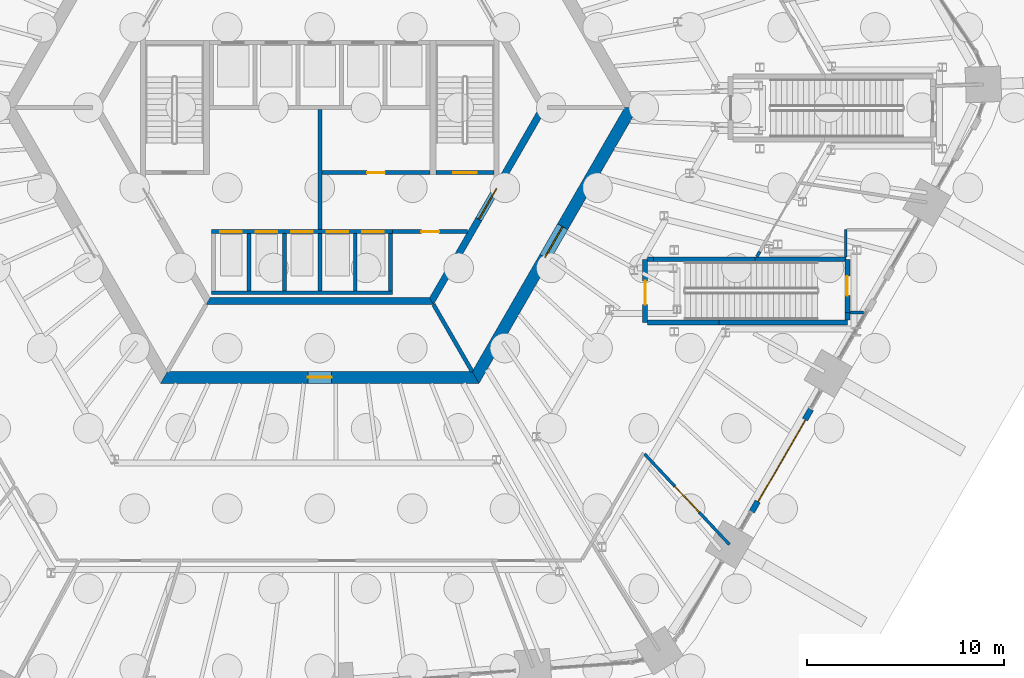
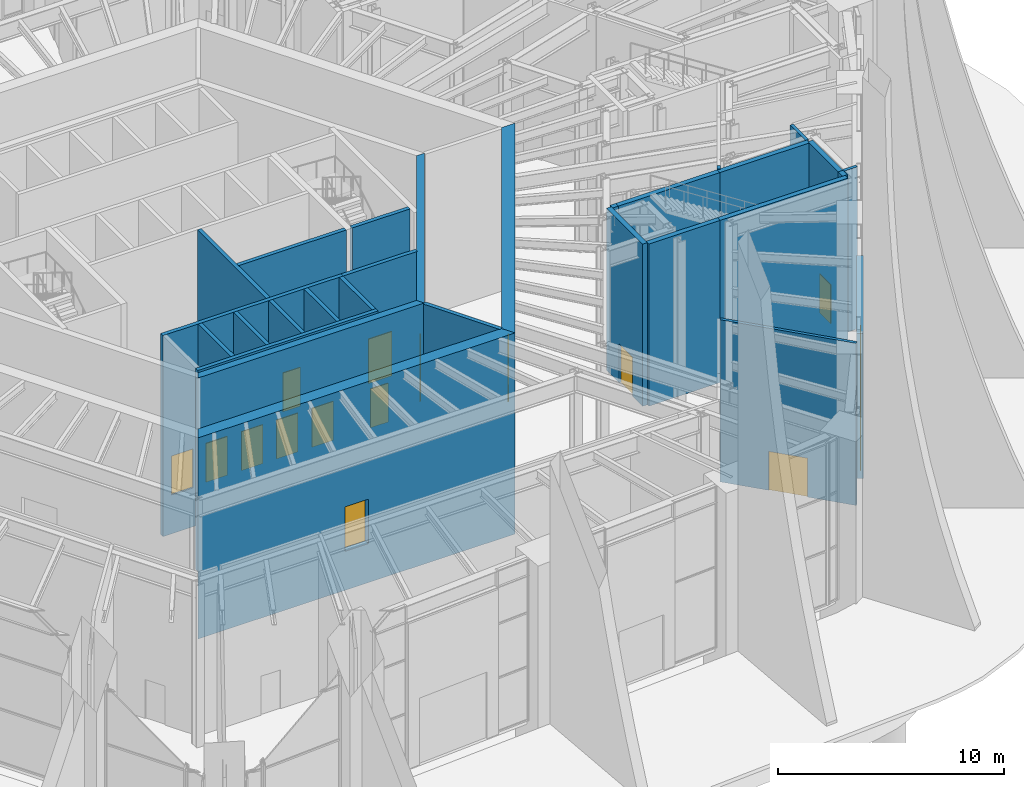
# One storey, part 26 of 43: 29 walls, 15 doors, 15 openings.
"""IFC4 building model written with IfcOpenShell, lengths in metres."""

from ifc_helpers import new_model, si_unit, direction, frame, frame_2d, origin, place, context, subcontext, project, spatial, polyline, rectangle, outline, extrude, material, layer, layer_set, type_object, element, fill, save


model = new_model("IFC4")

# Units and contexts
model_context = context("Model", 3, precision=1e-05, world=origin(), true_north=direction((0.0, 1.0)))
body_context = subcontext(model_context, "Body", "Model", "MODEL_VIEW")
ifc_project = project(units=[si_unit("LENGTHUNIT", "METRE"), si_unit("AREAUNIT", "SQUARE_METRE"), si_unit("VOLUMEUNIT", "CUBIC_METRE"), si_unit("PLANEANGLEUNIT", "RADIAN"), si_unit("MASSUNIT", "GRAM", prefix="KILO")], contexts=[model_context])

# Site, building, storey
site_placement = place(None, origin())
site = spatial("IfcSite", under=ifc_project, at=site_placement, CompositionType="ELEMENT")
building_placement = place(site_placement, origin())
building = spatial("IfcBuilding", under=site, at=building_placement, Name="Tarnside Tower", CompositionType="ELEMENT")
storey_placement = place(building_placement, origin())
storey = spatial("IfcBuildingStorey", under=building, at=storey_placement, Name="L00", CompositionType="ELEMENT", Elevation=0.0)

# Wall
ifc_material_1 = material(Name="Concrete C50/60", Category="concrete")
ifc_layer_1 = layer(ifc_material_1, 0.35009765625)
ifc_layer_set_1 = layer_set([ifc_layer_1], Name="Core block wall 350 C50/60")
wall_type_1 = type_object("IfcWallType", Name="Core block wall 350 C50/60", PredefinedType="SHEAR", material=ifc_layer_set_1)
wall_1_placement = place(storey_placement, frame((-5.672607421875, -9.824951171875, -2.10009765625), z_axis=(0.0, 0.0, 1.0), x_axis=(1.0, 0.0, 0.0)))
element("IfcWall", 1, at=wall_1_placement, inside=storey, type_object=wall_type_1, Name="L00 core block wall face 4", PredefinedType="SHEAR", context=body_context, shape_type="SweptSolid", body=[
    extrude(outline(polyline([(-0.10107421875, -0.175048828125), (11.4462890625, -0.175048828125), (11.244140625, 0.175048828125), (0.10107421875, 0.175048828125), (-0.10107421875, -0.175048828125)])), origin(), (0.0, 0.0, 1.0), 10.85009765625),
])

# Wall, opening, door
wall_2_placement = place(storey_placement, frame((5.672607421875, -9.824951171875, -2.10009765625), z_axis=(0.0, 0.0, 1.0), x_axis=(0.499995046907, 0.866028263435, 0.0)))
wall_2 = element("IfcWall", 2, at=wall_2_placement, inside=storey, type_object=wall_type_1, Name="L00 core block wall face 5", PredefinedType="SHEAR", context=body_context, shape_type="SweptSolid", body=[
    extrude(outline(polyline([(-0.10107421875, -0.175048828125), (11.44580078125, -0.175048828125), (11.24365234375, 0.175048828125), (0.10107421875, 0.175048828125), (-0.10107421875, -0.175048828125)])), origin(), (0.0, 0.0, 1.0), 10.85009765625),
])
opening_1_placement = place(wall_2_placement, frame((4.80126953125, 0.0, 2.10009765625)))
opening_1 = element("IfcOpeningElement", 3, at=opening_1_placement, cuts=wall_2, Name="Opening CD-FFL", PredefinedType="OPENING", context=body_context, shape_type="SweptSolid", body=[
    extrude(rectangle(XDim=1.800048828125, YDim=2.39990234375, at=frame_2d((0.89990234375, 1.199951171875))), frame((0.0, 0.18505859375, 0.0), z_axis=(0.0, -1.0, 0.0), x_axis=(1.0, 0.0, 0.0)), (0.0, 0.0, 1.0), 0.3701171875),
])
ifc_material_2 = material(Name="Steel fire door", Category="steel")
door_type_1 = type_object("IfcDoorType", Name="Firefighting lobby double door FD60S 1800x2400", OperationType="NOTDEFINED", PredefinedType="DOOR", material=ifc_material_2)
door_1_placement = place(opening_1_placement, origin())
door_1 = element("IfcDoor", 4, at=door_1_placement, inside=storey, type_object=door_type_1, Name="L00 lobby block door P4", OperationType="DOUBLE_DOOR_SINGLE_SWING", OverallHeight=2.39990234375, OverallWidth=1.800048828125, PredefinedType="DOOR", context=body_context, shape_type="SweptSolid", body=[
    extrude(rectangle(XDim=1.800048828125, YDim=2.39990234375, at=frame_2d((0.89990234375, 1.199951171875))), frame((0.0, 0.02490234375, 0.0), z_axis=(0.0, -1.0, 0.0), x_axis=(1.0, 0.0, 0.0)), (0.0, 0.0, 1.0), 0.050048828125),
])
fill(opening_1, door_1)

ifc_material_3 = material(Name="Concrete C40/50", Category="concrete")
ifc_layer_2 = layer(ifc_material_3, 0.199951171875)
ifc_layer_set_2 = layer_set([ifc_layer_2], Name="Core room partition 200 C40/50")
wall_type_2 = type_object("IfcWallType", Name="Core room partition 200 C40/50", PredefinedType="PARTITIONING", material=ifc_layer_set_2)
wall_3_placement = place(storey_placement, frame((0.10009765625, -3.300048828125, 0.0), z_axis=(0.0, 0.0, 1.0), x_axis=(1.0, 0.0, 0.0)))
wall_3 = element("IfcWall", 5, at=wall_3_placement, inside=storey, type_object=wall_type_2, Name="L00 core partition R3S1", PredefinedType="PARTITIONING", context=body_context, shape_type="SweptSolid", body=[
    extrude(rectangle(XDim=5.5, YDim=0.199951171875, at=frame_2d((2.75, 0.0))), origin(), (0.0, 0.0, 1.0), 8.75),
])
opening_2_placement = place(wall_3_placement, frame((2.300048828125, 0.0, 0.0)))
opening_2 = element("IfcOpeningElement", 6, at=opening_2_placement, cuts=wall_3, Name="Opening CD-room", PredefinedType="OPENING", context=body_context, shape_type="SweptSolid", body=[
    extrude(rectangle(XDim=0.89990234375, YDim=2.10009765625, at=frame_2d((0.449951171875, 1.050048828125))), frame((0.0, 0.10986328125, 0.0), z_axis=(0.0, -1.0, 0.0), x_axis=(1.0, 0.0, 0.0)), (0.0, 0.0, 1.0), 0.219970703125),
])
door_type_2 = type_object("IfcDoorType", Name="Room door FD60 900x2100", OperationType="NOTDEFINED", PredefinedType="DOOR", material=ifc_material_2)
door_2_placement = place(opening_2_placement, origin())
door_2 = element("IfcDoor", 7, at=door_2_placement, inside=storey, type_object=door_type_2, Name="L00 core room door SR1", OperationType="SINGLE_SWING_LEFT", OverallHeight=2.10009765625, OverallWidth=0.89990234375, PredefinedType="DOOR", context=body_context, shape_type="SweptSolid", body=[
    extrude(rectangle(XDim=0.89990234375, YDim=2.10009765625, at=frame_2d((0.449951171875, 1.050048828125))), frame((0.0, 0.02490234375, 0.0), z_axis=(0.0, -1.0, 0.0), x_axis=(1.0, 0.0, 0.0)), (0.0, 0.0, 1.0), 0.050048828125),
])
fill(opening_2, door_2)

# Wall
wall_4_placement = place(storey_placement, frame((0.0, -6.199951171875, 0.0), z_axis=(0.0, 0.0, 1.0), x_axis=(0.0, 1.0, 0.0)))
element("IfcWall", 8, at=wall_4_placement, inside=storey, type_object=wall_type_2, Name="L00 core partition X0", PredefinedType="PARTITIONING", context=body_context, shape_type="SweptSolid", body=[
    extrude(rectangle(XDim=6.099853515625, YDim=0.199951171875, at=frame_2d((3.0498046875, 0.0))), origin(), (0.0, 0.0, 1.0), 8.75),
])

# Wall, opening, door
wall_5_placement = place(storey_placement, frame((3.699951171875, -6.300048828125, 0.0), z_axis=(0.0, 0.0, 1.0), x_axis=(1.0, 0.0, 0.0)))
wall_5 = element("IfcWall", 9, at=wall_5_placement, inside=storey, type_object=wall_type_2, Name="L00 core partition R4X", PredefinedType="PARTITIONING", context=body_context, shape_type="SweptSolid", body=[
    extrude(rectangle(XDim=3.8056640625, YDim=0.199951171875, at=frame_2d((1.90283203125, 0.0))), origin(), (0.0, 0.0, 1.0), 8.75),
])
opening_3_placement = place(wall_5_placement, frame((1.452880859375, 0.0, 0.0)))
opening_3 = element("IfcOpeningElement", 10, at=opening_3_placement, cuts=wall_5, Name="Opening CD-room", PredefinedType="OPENING", context=body_context, shape_type="SweptSolid", body=[
    extrude(rectangle(XDim=0.89990234375, YDim=2.10009765625, at=frame_2d((0.449951171875, 1.050048828125))), frame((0.0, 0.10986328125, 0.0), z_axis=(0.0, -1.0, 0.0), x_axis=(1.0, 0.0, 0.0)), (0.0, 0.0, 1.0), 0.219970703125),
])
door_3_placement = place(opening_3_placement, origin())
door_3 = element("IfcDoor", 11, at=door_3_placement, inside=storey, type_object=door_type_2, Name="L00 core room door RX", OperationType="SINGLE_SWING_LEFT", OverallHeight=2.10009765625, OverallWidth=0.89990234375, PredefinedType="DOOR", context=body_context, shape_type="SweptSolid", body=[
    extrude(rectangle(XDim=0.89990234375, YDim=2.10009765625, at=frame_2d((0.449951171875, 1.050048828125))), frame((0.0, 0.02490234375, 0.0), z_axis=(0.0, -1.0, 0.0), x_axis=(1.0, 0.0, 0.0)), (0.0, 0.0, 1.0), 0.050048828125),
])
fill(opening_3, door_3)

ifc_material_4 = material(Name="Concrete C80/95", Category="concrete")
ifc_layer_3 = layer(ifc_material_4, 0.60009765625)
ifc_layer_set_3 = layer_set([ifc_layer_3], Name="Core wall Z1 600 C80/95")
wall_type_3 = type_object("IfcWallType", Name="Core wall Z1 600 C80/95", PredefinedType="SHEAR", material=ifc_layer_set_3)
wall_6_placement = place(storey_placement, frame((-7.90966796875, -13.699951171875, -2.10009765625), z_axis=(0.0, 0.0, 1.0), x_axis=(1.0, 0.0, 0.0)))
wall_6 = element("IfcWall", 12, at=wall_6_placement, inside=storey, type_object=wall_type_3, Name="L00 core wall face 4", PredefinedType="SHEAR", context=body_context, shape_type="SweptSolid", body=[
    extrude(outline(polyline([(-0.17333984375, -0.300048828125), (15.99267578125, -0.300048828125), (15.64599609375, 0.300048828125), (0.17333984375, 0.300048828125), (-0.17333984375, -0.300048828125)])), origin(), (0.0, 0.0, 1.0), 10.85009765625),
])
opening_4_placement = place(wall_6_placement, frame((7.309814453125, 0.0, 2.10009765625)))
opening_4 = element("IfcOpeningElement", 13, at=opening_4_placement, cuts=wall_6, Name="Opening CD-RSR", PredefinedType="OPENING", context=body_context, shape_type="SweptSolid", body=[
    extrude(rectangle(XDim=1.199951171875, YDim=2.39990234375, at=frame_2d((0.60009765625, 1.199951171875))), frame((0.0, 0.31005859375, 0.0), z_axis=(0.0, -1.0, 0.0), x_axis=(1.0, 0.0, 0.0)), (0.0, 0.0, 1.0), 0.6201171875),
])
door_type_3 = type_object("IfcDoorType", Name="Riser door FD60 1200x2400", OperationType="NOTDEFINED", PredefinedType="DOOR", material=ifc_material_2)
door_4_placement = place(opening_4_placement, origin())
door_4 = element("IfcDoor", 14, at=door_4_placement, inside=storey, type_object=door_type_3, Name="L00 core door S6", OperationType="SINGLE_SWING_LEFT", OverallHeight=2.39990234375, OverallWidth=1.199951171875, PredefinedType="DOOR", context=body_context, shape_type="SweptSolid", body=[
    extrude(rectangle(XDim=1.199951171875, YDim=2.39990234375, at=frame_2d((0.60009765625, 1.199951171875))), frame((0.0, 0.02490234375, 0.0), z_axis=(0.0, -1.0, 0.0), x_axis=(1.0, 0.0, 0.0)), (0.0, 0.0, 1.0), 0.050048828125),
])
fill(opening_4, door_4)

wall_7_placement = place(storey_placement, frame((7.90966796875, -13.699951171875, -2.10009765625), z_axis=(0.0, 0.0, 1.0), x_axis=(0.499999880136, 0.866025472988, 0.0)))
wall_7 = element("IfcWall", 15, at=wall_7_placement, inside=storey, type_object=wall_type_3, Name="L00 core wall face 5", PredefinedType="SHEAR", context=body_context, shape_type="SweptSolid", body=[
    extrude(outline(polyline([(-0.17333984375, -0.300048828125), (15.99267578125, -0.300048828125), (15.64599609375, 0.300048828125), (0.17333984375, 0.300048828125), (-0.17333984375, -0.300048828125)])), origin(), (0.0, 0.0, 1.0), 10.85009765625),
])
opening_5_placement = place(wall_7_placement, frame((7.03857421875, 0.0, 2.10009765625)))
opening_5 = element("IfcOpeningElement", 16, at=opening_5_placement, cuts=wall_7, Name="Opening CD-FFL", PredefinedType="OPENING", context=body_context, shape_type="SweptSolid", body=[
    extrude(rectangle(XDim=1.800048828125, YDim=2.39990234375, at=frame_2d((0.89990234375, 1.199951171875))), frame((0.0, 0.31005859375, 0.0), z_axis=(0.0, -1.0, 0.0), x_axis=(1.0, 0.0, 0.0)), (0.0, 0.0, 1.0), 0.6201171875),
])
door_5_placement = place(opening_5_placement, origin())
door_5 = element("IfcDoor", 17, at=door_5_placement, inside=storey, type_object=door_type_1, Name="L00 core door P4", OperationType="DOUBLE_DOOR_SINGLE_SWING", OverallHeight=2.39990234375, OverallWidth=1.800048828125, PredefinedType="DOOR", context=body_context, shape_type="SweptSolid", body=[
    extrude(rectangle(XDim=1.800048828125, YDim=2.39990234375, at=frame_2d((0.89990234375, 1.199951171875))), frame((0.0, 0.02490234375, 0.0), z_axis=(0.0, -1.0, 0.0), x_axis=(1.0, 0.0, 0.0)), (0.0, 0.0, 1.0), 0.050048828125),
])
fill(opening_5, door_5)

ifc_material_5 = material(Name="Concrete C50/60 white precast", Category="concrete")
ifc_layer_4 = layer(ifc_material_5, 0.300048828125)
ifc_layer_set_4 = layer_set([ifc_layer_4], Name="Entrance portal wall 300")
wall_type_4 = type_object("IfcWallType", Name="Entrance portal wall 300", PredefinedType="SOLIDWALL", material=ifc_layer_set_4)
wall_8_placement = place(storey_placement, frame((21.930908203125, -20.5146484375, 0.0), z_axis=(0.0, 0.0, 1.0), x_axis=(0.499990139034, 0.866031096941, 0.0)))
wall_8 = element("IfcWall", 18, at=wall_8_placement, inside=storey, type_object=wall_type_4, Name="Entrance portal wall station 16", PredefinedType="SOLIDWALL", context=body_context, shape_type="SweptSolid", body=[
    extrude(rectangle(XDim=6.0, YDim=0.300048828125, at=frame_2d((3.0, 0.0))), origin(), (0.0, 0.0, 1.0), 7.823486328125),
])
opening_6_placement = place(wall_8_placement, frame((0.60009765625, 0.0, 0.0)))
opening_6 = element("IfcOpeningElement", 19, at=opening_6_placement, cuts=wall_8, Name="Opening DE4800", PredefinedType="OPENING", context=body_context, shape_type="SweptSolid", body=[
    extrude(rectangle(XDim=4.800048828125, YDim=4.5, at=frame_2d((2.39990234375, 2.25))), frame((0.0, 0.16015625, 0.0), z_axis=(0.0, -1.0, 0.0), x_axis=(1.0, 0.0, 0.0)), (0.0, 0.0, 1.0), 0.320068359375),
])
ifc_material_6 = material(Name="Aluminium-framed toughened glass", Category="aluminium")
door_type_4 = type_object("IfcDoorType", Name="Station entrance door 4800 x 4500", OperationType="DOUBLE_DOOR_SLIDING", PredefinedType="DOOR", material=ifc_material_6)
door_6_placement = place(opening_6_placement, frame((0.0, -0.02490234375, 0.0)))
door_6 = element("IfcDoor", 20, at=door_6_placement, inside=storey, type_object=door_type_4, Name="Station entrance door 07", OperationType="DOUBLE_DOOR_SLIDING", OverallHeight=4.5, OverallWidth=4.800048828125, PredefinedType="DOOR", context=body_context, shape_type="SweptSolid", body=[
    extrude(rectangle(XDim=4.800048828125, YDim=4.5, at=frame_2d((2.39990234375, 2.25))), frame((0.0, 0.02490234375, 0.0), z_axis=(0.0, -1.0, 0.0), x_axis=(1.0, 0.0, 0.0)), (0.0, 0.0, 1.0), 0.050048828125),
])
fill(opening_6, door_6)

# Wall, openings, doors
ifc_layer_5 = layer(ifc_material_3, 0.199951171875)
ifc_layer_set_5 = layer_set([ifc_layer_5], Name="Lift shaft wall 200 C40/50")
wall_type_5 = type_object("IfcWallType", Name="Lift shaft wall 200 C40/50", PredefinedType="SHEAR", material=ifc_layer_set_5)
wall_9_placement = place(storey_placement, frame((-5.5, -6.300048828125, -2.10009765625), z_axis=(0.0, 0.0, 1.0), x_axis=(1.0, 0.0, 0.0)))
wall_9 = element("IfcWall", 21, at=wall_9_placement, inside=storey, type_object=wall_type_5, Name="L00 lift shaft front wall R4", PredefinedType="SHEAR", context=body_context, shape_type="SweptSolid", body=[
    extrude(rectangle(XDim=9.199951171875, YDim=0.199951171875, at=frame_2d((4.60009765625, 0.0))), origin(), (0.0, 0.0, 1.0), 10.85009765625),
])
opening_7_placement = place(wall_9_placement, frame((0.449951171875, 0.0, 2.10009765625)))
opening_7 = element("IfcOpeningElement", 22, at=opening_7_placement, cuts=wall_9, Name="Opening LDF", PredefinedType="OPENING", context=body_context, shape_type="SweptSolid", body=[
    extrude(rectangle(XDim=1.10009765625, YDim=2.10009765625, at=frame_2d((0.550048828125, 1.050048828125))), frame((0.0, 0.10986328125, 0.0), z_axis=(0.0, -1.0, 0.0), x_axis=(1.0, 0.0, 0.0)), (0.0, 0.0, 1.0), 0.219970703125),
])
opening_8_placement = place(wall_9_placement, frame((2.25, 0.0, 2.10009765625)))
opening_8 = element("IfcOpeningElement", 23, at=opening_8_placement, cuts=wall_9, Name="Opening LDF", PredefinedType="OPENING", context=body_context, shape_type="SweptSolid", body=[
    extrude(rectangle(XDim=1.10009765625, YDim=2.10009765625, at=frame_2d((0.550048828125, 1.050048828125))), frame((0.0, 0.10986328125, 0.0), z_axis=(0.0, -1.0, 0.0), x_axis=(1.0, 0.0, 0.0)), (0.0, 0.0, 1.0), 0.219970703125),
])
opening_9_placement = place(wall_9_placement, frame((4.050048828125, 0.0, 2.10009765625)))
opening_9 = element("IfcOpeningElement", 24, at=opening_9_placement, cuts=wall_9, Name="Opening LDF", PredefinedType="OPENING", context=body_context, shape_type="SweptSolid", body=[
    extrude(rectangle(XDim=1.10009765625, YDim=2.10009765625, at=frame_2d((0.550048828125, 1.050048828125))), frame((0.0, 0.10986328125, 0.0), z_axis=(0.0, -1.0, 0.0), x_axis=(1.0, 0.0, 0.0)), (0.0, 0.0, 1.0), 0.219970703125),
])
opening_10_placement = place(wall_9_placement, frame((5.85009765625, 0.0, 2.10009765625)))
opening_10 = element("IfcOpeningElement", 25, at=opening_10_placement, cuts=wall_9, Name="Opening LDF", PredefinedType="OPENING", context=body_context, shape_type="SweptSolid", body=[
    extrude(rectangle(XDim=1.10009765625, YDim=2.10009765625, at=frame_2d((0.550048828125, 1.050048828125))), frame((0.0, 0.10986328125, 0.0), z_axis=(0.0, -1.0, 0.0), x_axis=(1.0, 0.0, 0.0)), (0.0, 0.0, 1.0), 0.219970703125),
])
opening_11_placement = place(wall_9_placement, frame((7.64990234375, 0.0, 2.10009765625)))
opening_11 = element("IfcOpeningElement", 26, at=opening_11_placement, cuts=wall_9, Name="Opening LDF", PredefinedType="OPENING", context=body_context, shape_type="SweptSolid", body=[
    extrude(rectangle(XDim=1.10009765625, YDim=2.10009765625, at=frame_2d((0.550048828125, 1.050048828125))), frame((0.0, 0.10986328125, 0.0), z_axis=(0.0, -1.0, 0.0), x_axis=(1.0, 0.0, 0.0)), (0.0, 0.0, 1.0), 0.219970703125),
])
ifc_material_7 = material(Name="Stainless steel", Category="steel")
door_type_5 = type_object("IfcDoorType", Name="Lift landing door 1100x2100 EI 120", OperationType="NOTDEFINED", PredefinedType="DOOR", material=ifc_material_7)
door_7_placement = place(opening_7_placement, origin())
door_7 = element("IfcDoor", 27, at=door_7_placement, inside=storey, type_object=door_type_5, Name="Firefighting lift 1 landing door L00", OperationType="SLIDING_TO_LEFT", OverallHeight=2.10009765625, OverallWidth=1.10009765625, PredefinedType="DOOR", context=body_context, shape_type="SweptSolid", body=[
    extrude(rectangle(XDim=1.10009765625, YDim=2.10009765625, at=frame_2d((0.550048828125, 1.050048828125))), frame((0.0, 0.02490234375, 0.0), z_axis=(0.0, -1.0, 0.0), x_axis=(1.0, 0.0, 0.0)), (0.0, 0.0, 1.0), 0.050048828125),
])
fill(opening_7, door_7)
door_8_placement = place(opening_8_placement, origin())
door_8 = element("IfcDoor", 28, at=door_8_placement, inside=storey, type_object=door_type_5, Name="Firefighting lift 2 landing door L00", OperationType="SLIDING_TO_LEFT", OverallHeight=2.10009765625, OverallWidth=1.10009765625, PredefinedType="DOOR", context=body_context, shape_type="SweptSolid", body=[
    extrude(rectangle(XDim=1.10009765625, YDim=2.10009765625, at=frame_2d((0.550048828125, 1.050048828125))), frame((0.0, 0.02490234375, 0.0), z_axis=(0.0, -1.0, 0.0), x_axis=(1.0, 0.0, 0.0)), (0.0, 0.0, 1.0), 0.050048828125),
])
fill(opening_8, door_8)
door_9_placement = place(opening_9_placement, origin())
door_9 = element("IfcDoor", 29, at=door_9_placement, inside=storey, type_object=door_type_5, Name="Firefighting lift 3 landing door L00", OperationType="SLIDING_TO_LEFT", OverallHeight=2.10009765625, OverallWidth=1.10009765625, PredefinedType="DOOR", context=body_context, shape_type="SweptSolid", body=[
    extrude(rectangle(XDim=1.10009765625, YDim=2.10009765625, at=frame_2d((0.550048828125, 1.050048828125))), frame((0.0, 0.02490234375, 0.0), z_axis=(0.0, -1.0, 0.0), x_axis=(1.0, 0.0, 0.0)), (0.0, 0.0, 1.0), 0.050048828125),
])
fill(opening_9, door_9)
door_10_placement = place(opening_10_placement, origin())
door_10 = element("IfcDoor", 30, at=door_10_placement, inside=storey, type_object=door_type_5, Name="Firefighting lift 4 landing door L00", OperationType="SLIDING_TO_LEFT", OverallHeight=2.10009765625, OverallWidth=1.10009765625, PredefinedType="DOOR", context=body_context, shape_type="SweptSolid", body=[
    extrude(rectangle(XDim=1.10009765625, YDim=2.10009765625, at=frame_2d((0.550048828125, 1.050048828125))), frame((0.0, 0.02490234375, 0.0), z_axis=(0.0, -1.0, 0.0), x_axis=(1.0, 0.0, 0.0)), (0.0, 0.0, 1.0), 0.050048828125),
])
fill(opening_10, door_10)
door_11_placement = place(opening_11_placement, origin())
door_11 = element("IfcDoor", 31, at=door_11_placement, inside=storey, type_object=door_type_5, Name="Firefighting lift 5 landing door L00", OperationType="SLIDING_TO_LEFT", OverallHeight=2.10009765625, OverallWidth=1.10009765625, PredefinedType="DOOR", context=body_context, shape_type="SweptSolid", body=[
    extrude(rectangle(XDim=1.10009765625, YDim=2.10009765625, at=frame_2d((0.550048828125, 1.050048828125))), frame((0.0, 0.02490234375, 0.0), z_axis=(0.0, -1.0, 0.0), x_axis=(1.0, 0.0, 0.0)), (0.0, 0.0, 1.0), 0.050048828125),
])
fill(opening_11, door_11)

# Walls
wall_10_placement = place(storey_placement, frame((-5.5, -9.39990234375, -2.10009765625), z_axis=(0.0, 0.0, 1.0), x_axis=(1.0, 0.0, 0.0)))
element("IfcWall", 32, at=wall_10_placement, inside=storey, type_object=wall_type_5, Name="L00 lift shaft back wall R4", PredefinedType="SHEAR", context=body_context, shape_type="SweptSolid", body=[
    extrude(rectangle(XDim=9.199951171875, YDim=0.199951171875, at=frame_2d((4.60009765625, 0.0))), origin(), (0.0, 0.0, 1.0), 10.85009765625),
])
for number, where, z_axis, x_axis, name in (
    (33, (-3.60009765625, -9.300048828125, -2.10009765625), (0.0, 0.0, 1.0), (0.0, 1.0, 0.0), "L00 lift shaft partition R42"),
    (34, (-1.800048828125, -9.300048828125, -2.10009765625), (0.0, 0.0, 1.0), (0.0, 1.0, 0.0), "L00 lift shaft partition R43"),
    (35, (0.0, -9.300048828125, -2.10009765625), (0.0, 0.0, 1.0), (0.0, 1.0, 0.0), "L00 lift shaft partition R44"),
    (36, (1.800048828125, -9.300048828125, -2.10009765625), (0.0, 0.0, 1.0), (0.0, 1.0, 0.0), "L00 lift shaft partition R45"),
    (37, (3.60009765625, -9.300048828125, -2.10009765625), (0.0, 0.0, 1.0), (0.0, 1.0, 0.0), "L00 lift shaft partition R46"),
):
    element("IfcWall", number, at=place(storey_placement, frame(where, z_axis=z_axis, x_axis=x_axis)), inside=storey, type_object=wall_type_5, Name=name, PredefinedType="SHEAR", context=body_context, shape_type="SweptSolid", body=[
        extrude(rectangle(XDim=2.900146484375, YDim=0.199951171875, at=frame_2d((1.4501953125, 0.0))), origin(), (0.0, 0.0, 1.0), 10.85009765625),
    ])
wall_11_placement = place(storey_placement, frame((5.7734375, -10.0, -2.10009765625), z_axis=(0.0, 0.0, 1.0), x_axis=(0.500038251005, -0.86600331843, 0.0)))
element("IfcWall", 38, at=wall_11_placement, inside=storey, type_object=wall_type_5, Name="L00 core partition AR300", PredefinedType="SHEAR", context=body_context, shape_type="SweptSolid", body=[
    extrude(rectangle(XDim=3.926025390625, YDim=0.199951171875, at=frame_2d((1.962890625, 0.0))), origin(), (0.0, 0.0, 1.0), 10.85009765625),
])

# Wall, opening, door
wall_12_placement = place(storey_placement, frame((5.89990234375, -3.300048828125, -2.10009765625), z_axis=(0.0, 0.0, 1.0), x_axis=(1.0, 0.0, 0.0)))
wall_12 = element("IfcWall", 39, at=wall_12_placement, inside=storey, type_object=wall_type_5, Name="L00 stair 1 enclosure cap wall s", PredefinedType="SHEAR", context=body_context, shape_type="SweptSolid", body=[
    extrude(rectangle(XDim=2.9501953125, YDim=0.199951171875, at=frame_2d((1.47509765625, 0.0))), origin(), (0.0, 0.0, 1.0), 10.85009765625),
])
opening_12_placement = place(wall_12_placement, frame((0.875, 0.0, 2.10009765625)))
opening_12 = element("IfcOpeningElement", 40, at=opening_12_placement, cuts=wall_12, Name="Opening CD-STR", PredefinedType="OPENING", context=body_context, shape_type="SweptSolid", body=[
    extrude(rectangle(XDim=1.199951171875, YDim=2.39990234375, at=frame_2d((0.60009765625, 1.199951171875))), frame((0.0, 0.10986328125, 0.0), z_axis=(0.0, -1.0, 0.0), x_axis=(1.0, 0.0, 0.0)), (0.0, 0.0, 1.0), 0.219970703125),
])
door_type_6 = type_object("IfcDoorType", Name="Stair door FD60S 1200x2400", OperationType="NOTDEFINED", PredefinedType="DOOR", material=ifc_material_2)
door_12_placement = place(opening_12_placement, origin())
door_12 = element("IfcDoor", 41, at=door_12_placement, inside=storey, type_object=door_type_6, Name="L00 stair 1 door", OperationType="SINGLE_SWING_LEFT", OverallHeight=2.39990234375, OverallWidth=1.199951171875, PredefinedType="DOOR", context=body_context, shape_type="SweptSolid", body=[
    extrude(rectangle(XDim=1.199951171875, YDim=2.39990234375, at=frame_2d((0.60009765625, 1.199951171875))), frame((0.0, 0.02490234375, 0.0), z_axis=(0.0, -1.0, 0.0), x_axis=(1.0, 0.0, 0.0)), (0.0, 0.0, 1.0), 0.050048828125),
])
fill(opening_12, door_12)

ifc_material_8 = material(Name="Gypsum board")
ifc_layer_6 = layer(ifc_material_8, 0.14990234375)
ifc_layer_set_6 = layer_set([ifc_layer_6], Name="Partition 150 gypsum board on metal stud")
wall_type_6 = type_object("IfcWallType", Name="Partition 150 gypsum board on metal stud", PredefinedType="PARTITIONING", material=ifc_layer_set_6)
wall_13_placement = place(storey_placement, frame((20.794921875, -22.181884765625, 0.0), z_axis=(0.0, 0.0, 1.0), x_axis=(-0.683915327737, 0.729561391856, 0.0)))
wall_13 = element("IfcWall", 42, at=wall_13_placement, inside=storey, type_object=wall_type_6, Name="Partition 085", PredefinedType="PARTITIONING", context=body_context, shape_type="SweptSolid", body=[
    extrude(rectangle(XDim=6.295166015625, YDim=0.14990234375, at=frame_2d((3.1474609375, 0.0))), origin(), (0.0, 0.0, 1.0), 8.75),
])
opening_13_placement = place(wall_13_placement, frame((2.24755859375, 0.0, 0.0)))
opening_13 = element("IfcOpeningElement", 43, at=opening_13_placement, cuts=wall_13, Name="Opening D1800F30", PredefinedType="OPENING", context=body_context, shape_type="SweptSolid", body=[
    extrude(rectangle(XDim=1.800048828125, YDim=2.10009765625, at=frame_2d((0.89990234375, 1.050048828125))), frame((0.0, 0.0849609375, 0.0), z_axis=(0.0, -1.0, 0.0), x_axis=(1.0, 0.0, 0.0)), (0.0, 0.0, 1.0), 0.169921875),
])
ifc_material_9 = material(Name="Timber door leaf", Category="wood")
door_type_7 = type_object("IfcDoorType", Name="Door pair 1800 x 2100 FD30S fire door", OperationType="NOTDEFINED", PredefinedType="DOOR", material=ifc_material_9)
door_13_placement = place(opening_13_placement, origin())
door_13 = element("IfcDoor", 44, at=door_13_placement, inside=storey, type_object=door_type_7, Name="Door L00-25", OperationType="DOUBLE_DOOR_SINGLE_SWING", OverallHeight=2.10009765625, OverallWidth=1.800048828125, PredefinedType="DOOR", context=body_context, shape_type="SweptSolid", body=[
    extrude(rectangle(XDim=1.800048828125, YDim=2.10009765625, at=frame_2d((0.89990234375, 1.050048828125))), frame((0.0, 0.02490234375, 0.0), z_axis=(0.0, -1.0, 0.0), x_axis=(1.0, 0.0, 0.0)), (0.0, 0.0, 1.0), 0.050048828125),
])
fill(opening_13, door_13)

# Walls
wall_14_placement = place(storey_placement, frame((22.184326171875, -7.574951171875, 0.0), z_axis=(0.0, 0.0, 1.0), x_axis=(0.500158362642, 0.865933953763, 0.0)))
element("IfcWall", 45, at=wall_14_placement, inside=storey, type_object=wall_type_6, Name="Partition 100", PredefinedType="PARTITIONING", context=body_context, shape_type="SweptSolid", body=[
    extrude(rectangle(XDim=0.30712890625, YDim=0.14990234375, at=frame_2d((0.153564453125, 0.0))), origin(), (0.0, 0.0, 1.0), 8.75),
])
wall_15_placement = place(storey_placement, frame((26.699951171875, -7.574951171875, 0.0), z_axis=(0.0, 0.0, 1.0), x_axis=(0.0, 1.0, 0.0)))
element("IfcWall", 46, at=wall_15_placement, inside=storey, type_object=wall_type_6, Name="Partition 113", PredefinedType="PARTITIONING", context=body_context, shape_type="SweptSolid", body=[
    extrude(rectangle(XDim=1.375, YDim=0.14990234375, at=frame_2d((0.6875, 0.0))), origin(), (0.0, 0.0, 1.0), 8.75),
])
wall_16_placement = place(storey_placement, frame((27.596923828125, -10.39990234375, 0.0), z_axis=(0.0, 0.0, 1.0), x_axis=(-1.0, 0.0, 0.0)))
element("IfcWall", 47, at=wall_16_placement, inside=storey, type_object=wall_type_6, Name="Partition 118", PredefinedType="PARTITIONING", context=body_context, shape_type="SweptSolid", body=[
    extrude(rectangle(XDim=0.68701171875, YDim=0.14990234375, at=frame_2d((0.343505859375, 0.0))), origin(), (0.0, 0.0, 1.0), 8.75),
])

# Wall, opening, door
ifc_material_10 = material(Name="Concrete C32/40", Category="concrete")
ifc_layer_7 = layer(ifc_material_10, 0.25)
ifc_layer_set_7 = layer_set([ifc_layer_7], Name="Wall 250 reinforced Concrete C32/40")
wall_type_7 = type_object("IfcWallType", Name="Wall 250 reinforced Concrete C32/40", PredefinedType="PARTITIONING", material=ifc_layer_set_7)
wall_17_placement = place(storey_placement, frame((16.514892578125, -7.699951171875, 0.0), z_axis=(0.0, 0.0, 1.0), x_axis=(0.0, -1.0, 0.0)))
wall_17 = element("IfcWall", 48, at=wall_17_placement, inside=storey, type_object=wall_type_7, Name="Partition 086", PredefinedType="PARTITIONING", context=body_context, shape_type="SweptSolid", body=[
    extrude(rectangle(XDim=3.199951171875, YDim=0.25, at=frame_2d((1.60009765625, 0.0))), origin(), (0.0, 0.0, 1.0), 8.75),
])
opening_14_placement = place(wall_17_placement, frame((1.10009765625, 0.0, 0.0)))
opening_14 = element("IfcOpeningElement", 49, at=opening_14_placement, cuts=wall_17, Name="Opening D1200F60S", PredefinedType="OPENING", context=body_context, shape_type="SweptSolid", body=[
    extrude(rectangle(XDim=1.199951171875, YDim=2.10009765625, at=frame_2d((0.60009765625, 1.050048828125))), frame((0.0, 0.135009765625, 0.0), z_axis=(0.0, -1.0, 0.0), x_axis=(1.0, 0.0, 0.0)), (0.0, 0.0, 1.0), 0.27001953125),
])
door_type_8 = type_object("IfcDoorType", Name="Door 1200 x 2100 single leaf FD60S fire door", OperationType="NOTDEFINED", PredefinedType="DOOR", material=ifc_material_9)
door_14_placement = place(opening_14_placement, origin())
door_14 = element("IfcDoor", 50, at=door_14_placement, inside=storey, type_object=door_type_8, Name="Door L00-26", OperationType="SINGLE_SWING_LEFT", OverallHeight=2.10009765625, OverallWidth=1.199951171875, PredefinedType="DOOR", context=body_context, shape_type="SweptSolid", body=[
    extrude(rectangle(XDim=1.199951171875, YDim=2.10009765625, at=frame_2d((0.60009765625, 1.050048828125))), frame((0.0, 0.02490234375, 0.0), z_axis=(0.0, -1.0, 0.0), x_axis=(1.0, 0.0, 0.0)), (0.0, 0.0, 1.0), 0.050048828125),
])
fill(opening_14, door_14)

# Walls
wall_18_placement = place(storey_placement, frame((16.639892578125, -7.699951171875, 0.0), z_axis=(0.0, 0.0, 1.0), x_axis=(1.0, 0.0, 0.0)))
element("IfcWall", 51, at=wall_18_placement, inside=storey, type_object=wall_type_7, Name="Partition 087", PredefinedType="PARTITIONING", context=body_context, shape_type="SweptSolid", body=[
    extrude(rectangle(XDim=0.2880859375, YDim=0.25, at=frame_2d((0.14404296875, 0.0))), origin(), (0.0, 0.0, 1.0), 8.75),
])
wall_19_placement = place(storey_placement, frame((16.906005859375, -7.699951171875, 0.0), z_axis=(0.0, 0.0, 1.0), x_axis=(1.0, 0.0, 0.0)))
element("IfcWall", 52, at=wall_19_placement, inside=storey, type_object=wall_type_7, Name="Partition 088", PredefinedType="PARTITIONING", context=body_context, shape_type="SweptSolid", body=[
    extrude(rectangle(XDim=5.218994140625, YDim=0.25, at=frame_2d((2.609375, 0.0))), origin(), (0.0, 0.0, 1.0), 8.75),
])
wall_20_placement = place(storey_placement, frame((20.27490234375, -10.89990234375, 0.0), z_axis=(0.0, 0.0, 1.0), x_axis=(-1.0, 0.0, 0.0)))
element("IfcWall", 53, at=wall_20_placement, inside=storey, type_object=wall_type_7, Name="Partition 094", PredefinedType="PARTITIONING", context=body_context, shape_type="SweptSolid", body=[
    extrude(rectangle(XDim=3.635009765625, YDim=0.25, at=frame_2d((1.8173828125, 0.0))), origin(), (0.0, 0.0, 1.0), 8.75),
])
wall_21_placement = place(storey_placement, frame((22.10205078125, -7.699951171875, 0.0), z_axis=(0.0, 0.0, 1.0), x_axis=(1.0, 0.0, 0.0)))
element("IfcWall", 54, at=wall_21_placement, inside=storey, type_object=wall_type_7, Name="Partition 099", PredefinedType="PARTITIONING", context=body_context, shape_type="SweptSolid", body=[
    extrude(rectangle(XDim=4.60791015625, YDim=0.25, at=frame_2d((2.303955078125, 0.0))), origin(), (0.0, 0.0, 1.0), 8.75),
])
wall_22_placement = place(storey_placement, frame((26.784912109375, -10.89990234375, 0.0), z_axis=(0.0, 0.0, 1.0), x_axis=(-1.0, 0.0, 0.0)))
element("IfcWall", 55, at=wall_22_placement, inside=storey, type_object=wall_type_7, Name="Partition 115", PredefinedType="PARTITIONING", context=body_context, shape_type="SweptSolid", body=[
    extrude(rectangle(XDim=6.531982421875, YDim=0.25, at=frame_2d((3.26611328125, 0.0))), origin(), (0.0, 0.0, 1.0), 8.75),
])

# Wall, opening, door
wall_23_placement = place(storey_placement, frame((26.784912109375, -7.699951171875, 0.0), z_axis=(0.0, 0.0, 1.0), x_axis=(0.0, -1.0, 0.0)))
wall_23 = element("IfcWall", 56, at=wall_23_placement, inside=storey, type_object=wall_type_7, Name="Partition 116", PredefinedType="PARTITIONING", context=body_context, shape_type="SweptSolid", body=[
    extrude(rectangle(XDim=2.699951171875, YDim=0.25, at=frame_2d((1.35009765625, 0.0))), origin(), (0.0, 0.0, 1.0), 8.75),
])
opening_15_placement = place(wall_23_placement, frame((0.85009765625, 0.0, 0.0)))
opening_15 = element("IfcOpeningElement", 57, at=opening_15_placement, cuts=wall_23, Name="Opening D1000F60S", PredefinedType="OPENING", context=body_context, shape_type="SweptSolid", body=[
    extrude(rectangle(XDim=1.0, YDim=2.10009765625, at=frame_2d((0.5, 1.050048828125))), frame((0.0, 0.135009765625, 0.0), z_axis=(0.0, -1.0, 0.0), x_axis=(1.0, 0.0, 0.0)), (0.0, 0.0, 1.0), 0.27001953125),
])
door_type_9 = type_object("IfcDoorType", Name="Door 1000 x 2100 single leaf FD60S fire door", OperationType="NOTDEFINED", PredefinedType="DOOR", material=ifc_material_9)
door_15_placement = place(opening_15_placement, origin())
door_15 = element("IfcDoor", 58, at=door_15_placement, inside=storey, type_object=door_type_9, Name="Door L00-34", OperationType="SINGLE_SWING_LEFT", OverallHeight=2.10009765625, OverallWidth=1.0, PredefinedType="DOOR", context=body_context, shape_type="SweptSolid", body=[
    extrude(rectangle(XDim=1.0, YDim=2.10009765625, at=frame_2d((0.5, 1.050048828125))), frame((0.0, 0.02490234375, 0.0), z_axis=(0.0, -1.0, 0.0), x_axis=(1.0, 0.0, 0.0)), (0.0, 0.0, 1.0), 0.050048828125),
])
fill(opening_15, door_15)

# Wall
wall_24_placement = place(storey_placement, frame((26.784912109375, -10.389892578125, 0.0), z_axis=(0.0, 0.0, 1.0), x_axis=(0.0, -1.0, 0.0)))
element("IfcWall", 59, at=wall_24_placement, inside=storey, type_object=wall_type_7, Name="Partition 117", PredefinedType="PARTITIONING", context=body_context, shape_type="SweptSolid", body=[
    extrude(rectangle(XDim=0.385009765625, YDim=0.25, at=frame_2d((0.1923828125, 0.0))), origin(), (0.0, 0.0, 1.0), 8.75),
])

save(model, "model.ifc")
